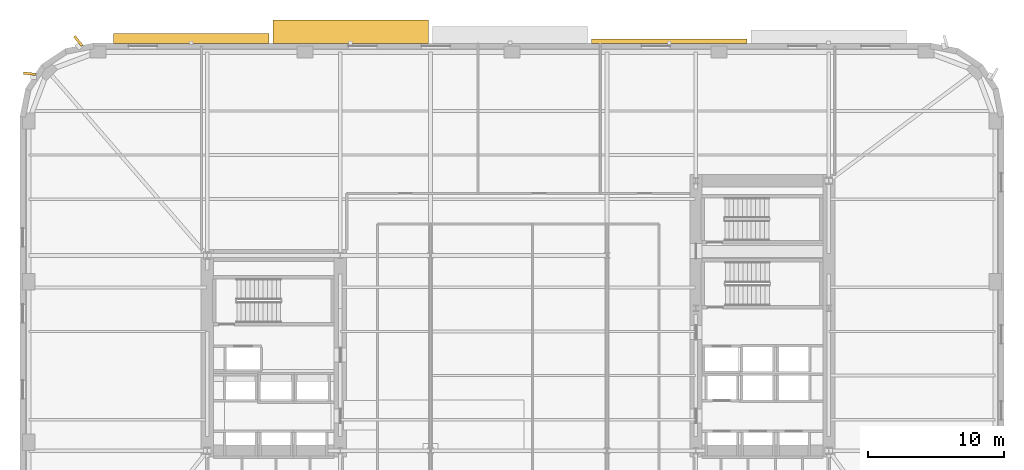
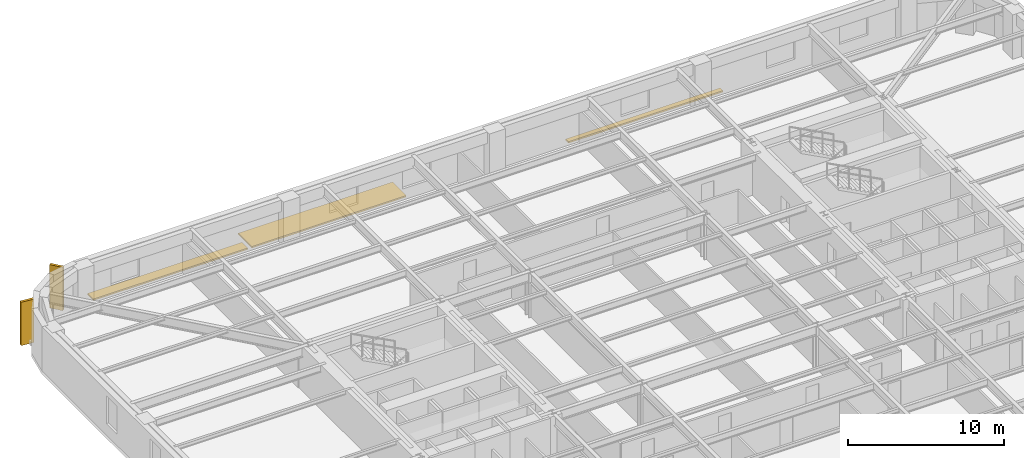
# One storey, part 13 of 15: 5 shading devices.
"""IFC4 building model written with IfcOpenShell, lengths in metres."""

from ifc_helpers import new_model, si_unit, direction, frame, origin, origin_2d, place, context, subcontext, project, spatial, rectangle, extrude, material, type_object, element, save


model = new_model("IFC4")

# Units and contexts
model_context = context("Model", 3, precision=1e-05, world=origin(), true_north=direction((0.0, 1.0)))
body_context = subcontext(model_context, "Body", "Model", "MODEL_VIEW")
ifc_project = project(units=[si_unit("LENGTHUNIT", "METRE"), si_unit("AREAUNIT", "SQUARE_METRE"), si_unit("VOLUMEUNIT", "CUBIC_METRE"), si_unit("PLANEANGLEUNIT", "RADIAN"), si_unit("MASSUNIT", "GRAM", prefix="KILO")], contexts=[model_context])

# Site, building, storey
site_placement = place(None, origin())
site = spatial("IfcSite", under=ifc_project, at=site_placement, CompositionType="ELEMENT")
building_placement = place(site_placement, origin())
building = spatial("IfcBuilding", under=site, at=building_placement, Name="Kolvaren Arena Tower", CompositionType="ELEMENT")
storey_placement = place(building_placement, frame((0.0, 0.0, 49.5)))
storey = spatial("IfcBuildingStorey", under=building, at=storey_placement, Name="L09", CompositionType="ELEMENT", Elevation=49.5)

# Shading devices
ifc_material_1 = material(Name="Precast architectural concrete C50/60 rib fin", Category="concrete")
shading_device_type_1 = type_object("IfcShadingDeviceType", Name="SHAD-FIN-28", PredefinedType="USERDEFINED", material=ifc_material_1)
for number, where, z_axis, x_axis, name in (
    (1, (5.04638671875, 49.6474609375, 0.02001953125), (0.0, 0.0, 1.0), (-0.632722898811, 0.774378288254, 0.0), "Precast 28-Deg Corner Rib Fin (L09)"),
    (2, (1.447021484375, 47.242431640625, 0.02001953125), (0.0, 0.0, 1.0), (-0.994971840066, 0.100155067151, 0.0), "Precast 28-Deg Corner Rib Fin (L09)"),
):
    element("IfcShadingDevice", number, at=place(storey_placement, frame(where, z_axis=z_axis, x_axis=x_axis)), inside=storey, type_object=shading_device_type_1, Name=name, ObjectType="FIN", PredefinedType="USERDEFINED", context=body_context, shape_type="SweptSolid", body=[
        extrude(rectangle(XDim=0.89990234375, YDim=0.179931640625, at=origin_2d()), origin(), (0.0, 0.0, 1.0), 3.39990234375),
    ])
ifc_material_2 = material(Name="Architectural precast GFRC and anodised aluminium sunshade", Category="concrete")
shading_device_type_2 = type_object("IfcShadingDeviceType", Name="SHAD-SINE-A", PredefinedType="USERDEFINED", material=ifc_material_2)
shading_device_1_placement = place(storey_placement, frame((13.3701171875, 49.8203125, -0.14013671875), z_axis=(0.0, 0.0, 1.0), x_axis=(1.0, 0.0, 0.0)))
element("IfcShadingDevice", 3, at=shading_device_1_placement, inside=storey, type_object=shading_device_type_2, Name="Sinusoidal Slab-Edge Sunshade Louvre (L09)", ObjectType="LOUVRE", PredefinedType="USERDEFINED", context=body_context, shape_type="SweptSolid", body=[
    extrude(rectangle(XDim=11.43994140625, YDim=0.74072265625, at=origin_2d()), origin(), (0.0, 0.0, 1.0), 0.1201171875),
])
shading_device_2_placement = place(storey_placement, frame((48.590087890625, 49.63037109375, -0.14013671875), z_axis=(0.0, 0.0, 1.0), x_axis=(1.0, 0.0, 0.0)))
element("IfcShadingDevice", 4, at=shading_device_2_placement, inside=storey, type_object=shading_device_type_2, Name="Sinusoidal Slab-Edge Sunshade Louvre (L09)", ObjectType="LOUVRE", PredefinedType="USERDEFINED", context=body_context, shape_type="SweptSolid", body=[
    extrude(rectangle(XDim=11.43994140625, YDim=0.36083984375, at=origin_2d()), origin(), (0.0, 0.0, 1.0), 0.1201171875),
])
shading_device_type_3 = type_object("IfcShadingDeviceType", Name="SHAD-SINE-B", PredefinedType="JALOUSIE", material=ifc_material_2)
shading_device_3_placement = place(storey_placement, frame((25.110107421875, 50.32470703125, -0.14013671875), z_axis=(0.0, 0.0, 1.0), x_axis=(1.0, 0.0, 0.0)))
element("IfcShadingDevice", 5, at=shading_device_3_placement, inside=storey, type_object=shading_device_type_3, Name="Sinusoidal Slab-Edge Sunshade Louvre (L09)", PredefinedType="JALOUSIE", context=body_context, shape_type="SweptSolid", body=[
    extrude(rectangle(XDim=11.43994140625, YDim=1.7490234375, at=origin_2d()), origin(), (0.0, 0.0, 1.0), 0.1201171875),
])

save(model, "model.ifc")
